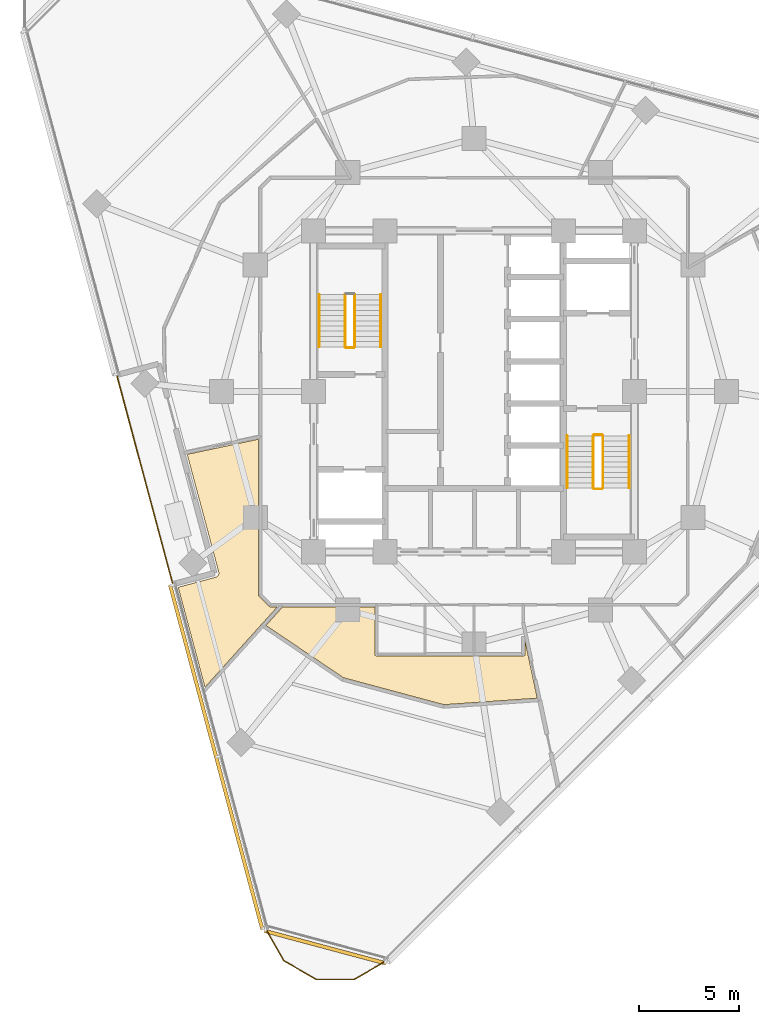
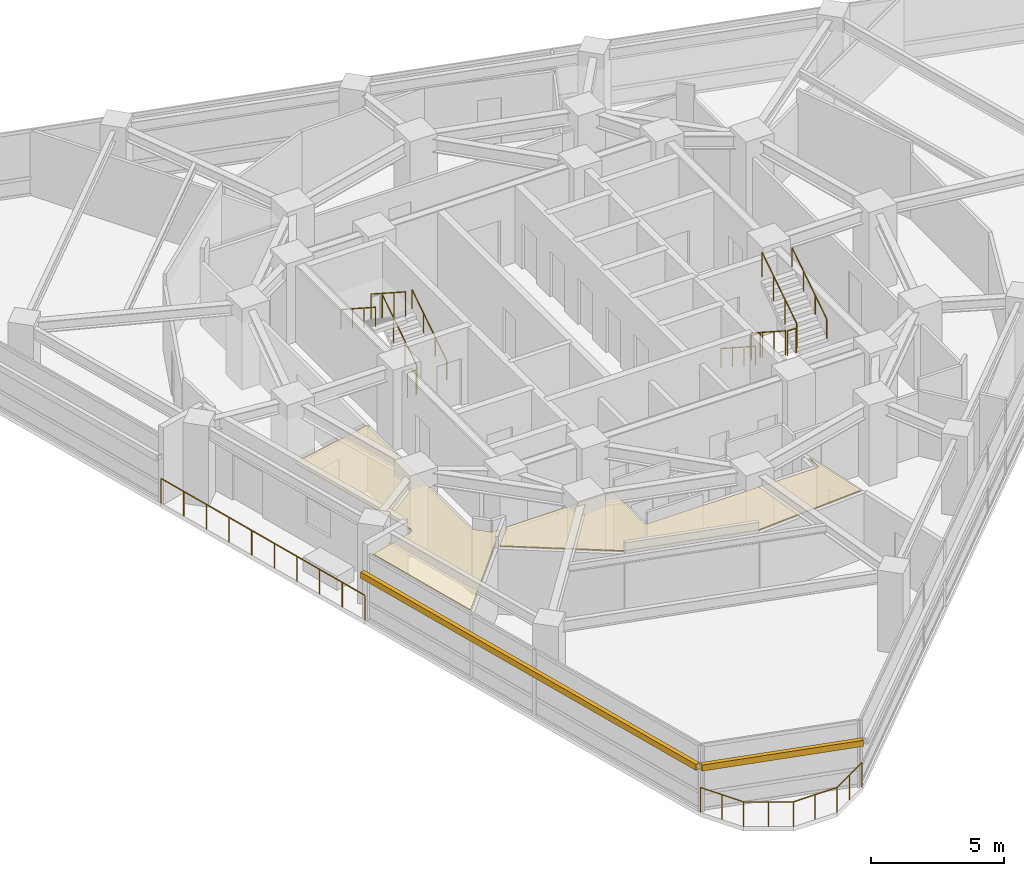
# One storey, part 11 of 14: 13 railings, 2 coverings, 2 shading devices.
"""IFC4 building model written with IfcOpenShell, lengths in metres."""

from ifc_helpers import new_model, si_unit, direction, frame, origin, origin_2d, place, context, subcontext, project, spatial, polyline, rectangle, circle, outline, extrude, material, layer, layer_set, type_object, element, save


model = new_model("IFC4")

# Units and contexts
model_context = context("Model", 3, precision=1e-05, world=origin(), true_north=direction((0.0, 1.0)))
body_context = subcontext(model_context, "Body", "Model", "MODEL_VIEW")
ifc_project = project(units=[si_unit("LENGTHUNIT", "METRE"), si_unit("AREAUNIT", "SQUARE_METRE"), si_unit("VOLUMEUNIT", "CUBIC_METRE"), si_unit("PLANEANGLEUNIT", "RADIAN"), si_unit("MASSUNIT", "GRAM", prefix="KILO")], contexts=[model_context])

# Site, building, storey
site_placement = place(None, origin())
site = spatial("IfcSite", under=ifc_project, at=site_placement, CompositionType="ELEMENT")
building_placement = place(site_placement, origin())
building = spatial("IfcBuilding", under=site, at=building_placement, Name="Terralouvre Media Tower", CompositionType="ELEMENT")
storey_placement = place(building_placement, frame((0.0, 0.0, 206.39990234375)))
storey = spatial("IfcBuildingStorey", under=building, at=storey_placement, Name="L53", CompositionType="ELEMENT", Elevation=206.39990234375)

# Coverings
ifc_material_1 = material(Name="Perforated aluminium acoustic ceiling baffle", Category="aluminium")
ifc_layer_1 = layer(ifc_material_1, 0.0400390625, Name="Perforated Acoustic Metal Tile Ceiling CL-AC1")
ifc_layer_set_1 = layer_set([ifc_layer_1], Name="Perforated aluminium acoustic ceiling baffle")
covering_type = type_object("IfcCoveringType", Name="Perforated Acoustic Metal Tile Ceiling CL-AC1", PredefinedType="CEILING", material=ifc_layer_set_1)
covering_1_placement = place(storey_placement, frame((0.0, 0.0, 2.97998046875), z_axis=(0.0, 0.0, 1.0), x_axis=(0.707106781187, 0.707106781187, 0.0)))
element("IfcCovering", 1, at=covering_1_placement, inside=storey, type_object=covering_type, Name="L53 VFX Compositing Open Office 1 Acoustic Ceiling", PredefinedType="CEILING", context=body_context, shape_type="SweptSolid", body=[
    extrude(outline(polyline([(-14.540771484375, -0.662109375), (-14.778564453125, -0.42431640625), (-14.78515625, -0.4169921875), (-14.791015625, -0.4091796875), (-14.7958984375, -0.400634765625), (-14.80029296875, -0.391845703125), (-14.803466796875, -0.382568359375), (-14.805908203125, -0.373046875), (-14.807373046875, -0.36328125), (-14.807861328125, -0.353515625), (-14.807861328125, 0.353515625), (-14.807373046875, 0.36328125), (-14.805908203125, 0.373046875), (-14.803466796875, 0.382568359375), (-14.80029296875, 0.391845703125), (-14.7958984375, 0.400634765625), (-14.791015625, 0.4091796875), (-14.78515625, 0.4169921875), (-14.778564453125, 0.42431640625), (-9.28955078125, 5.9130859375), (-12.339111328125, 7.894287109375), (-15.3720703125, 2.639892578125), (-15.37744140625, 2.631591796875), (-15.384521484375, 2.621826171875), (-15.388916015625, 2.615966796875), (-15.39599609375, 2.607421875), (-15.396484375, 2.60693359375), (-15.404296875, 2.59765625), (-15.409912109375, 2.591552734375), (-15.416015625, 2.5859375), (-15.42529296875, 2.578125), (-15.432861328125, 2.572265625), (-15.442138671875, 2.56591796875), (-15.454345703125, 2.55859375), (-15.465576171875, 2.552978515625), (-15.468017578125, 2.5517578125), (-15.478759765625, 2.546875), (-15.489501953125, 2.542724609375), (-15.5, 2.5390625), (-15.51416015625, 2.53564453125), (-15.526123046875, 2.533447265625), (-15.53125, 2.53271484375), (-15.54248046875, 2.53125), (-15.549072265625, 2.53076171875), (-15.56103515625, 2.530029296875), (-15.5703125, 2.52978515625), (-15.579345703125, 2.530517578125), (-15.590576171875, 2.531982421875), (-15.595703125, 2.53271484375), (-15.607666015625, 2.534912109375), (-15.614501953125, 2.536376953125), (-15.6259765625, 2.5390625), (-15.63671875, 2.54248046875), (-15.64794921875, 2.546630859375), (-15.655517578125, 2.5498046875), (-15.66259765625, 2.553466796875), (-15.67236328125, 2.55908203125), (-15.6728515625, 2.559326171875), (-17.3447265625, 3.524169921875), (-19.92431640625, -0.944091796875), (-15.719970703125, -0.72314453125), (-14.540771484375, -0.662109375)])), origin(), (0.0, 0.0, 1.0), 0.0400390625),
])
covering_2_placement = place(storey_placement, frame((0.0, 0.0, 2.97998046875), z_axis=(0.0, 0.0, 1.0), x_axis=(0.707106781187, 0.707106781187, 0.0)))
element("IfcCovering", 2, at=covering_2_placement, inside=storey, type_object=covering_type, Name="L53 Colourist Technical Control Room 2 Acoustic Ceiling", PredefinedType="CEILING", context=body_context, shape_type="SweptSolid", body=[
    extrude(outline(polyline([(-14.7041015625, -5.49755859375), (-12.113037109375, -9.985595703125), (-8.592041015625, -13.04736328125), (-7.019775390625, -10.6259765625), (-7.4599609375, -11.066162109375), (-7.46728515625, -11.07275390625), (-7.47509765625, -11.07861328125), (-7.483642578125, -11.083740234375), (-7.492431640625, -11.087890625), (-7.501708984375, -11.091064453125), (-7.51123046875, -11.093505859375), (-7.520751953125, -11.094970703125), (-7.53076171875, -11.095458984375), (-7.54052734375, -11.094970703125), (-7.550048828125, -11.093505859375), (-7.559814453125, -11.091064453125), (-7.56884765625, -11.087890625), (-7.577880859375, -11.083740234375), (-7.586181640625, -11.07861328125), (-7.593994140625, -11.07275390625), (-7.601318359375, -11.066162109375), (-12.76318359375, -5.904296875), (-12.769775390625, -5.89697265625), (-12.775634765625, -5.88916015625), (-12.78076171875, -5.880859375), (-12.784912109375, -5.871826171875), (-12.788330078125, -5.86279296875), (-12.79052734375, -5.85302734375), (-12.7919921875, -5.843505859375), (-12.79248046875, -5.833740234375), (-12.7919921875, -5.82373046875), (-12.79052734375, -5.814208984375), (-12.788330078125, -5.8046875), (-12.784912109375, -5.79541015625), (-12.78076171875, -5.786376953125), (-12.775634765625, -5.778076171875), (-12.769775390625, -5.770263671875), (-12.76318359375, -5.762939453125), (-11.1015625, -4.101318359375), (-14.350341796875, -0.8525390625), (-15.5947265625, -0.9169921875), (-14.7041015625, -5.49755859375)])), origin(), (0.0, 0.0, 1.0), 0.0400390625),
])

# Railings
ifc_material_2 = material(Name="Stainless steel 316 handrail and balustrade", Category="steel")
ifc_layer_2 = layer(ifc_material_2, 0.06005859375, Name="Roof Edge Safety Guardrail GR-ROOF1")
ifc_layer_set_2 = layer_set([ifc_layer_2], Name="Stainless steel 316 handrail and balustrade")
railing_type_1 = type_object("IfcRailingType", Name="Roof Edge Safety Guardrail GR-ROOF1", PredefinedType="GUARDRAIL", material=ifc_layer_set_2)
railing_1_placement = place(storey_placement, frame((-17.8212890625, 0.815185546875, 0.0)))
element("IfcRailing", 3, at=railing_1_placement, inside=storey, type_object=railing_type_1, Name="L53 SG Outer Edge Glass Balustrade", PredefinedType="GUARDRAIL", context=body_context, shape_type="SweptSolid", body=[
    extrude(circle(Radius=0.02392578125, at=origin_2d()), frame((0.0, 0.0, 1.1259765625), z_axis=(0.258835896222, -0.965921310888, 0.0), x_axis=(0.965921310888, 0.258835896222, 0.0)), (0.0, 0.0, 1.0), 10.800048828125),
    extrude(circle(Radius=0.02099609375, at=origin_2d()), origin(), (0.0, 0.0, 1.0), 1.101806640625),
    extrude(circle(Radius=0.02099609375, at=origin_2d()), frame((0.310546875, -1.1591796875, 0.0)), (0.0, 0.0, 1.0), 1.101806640625),
    extrude(circle(Radius=0.02099609375, at=origin_2d()), frame((0.62109375, -2.318115234375, 0.0)), (0.0, 0.0, 1.0), 1.101806640625),
    extrude(circle(Radius=0.02099609375, at=origin_2d()), frame((0.931884765625, -3.477294921875, 0.0)), (0.0, 0.0, 1.0), 1.101806640625),
    extrude(circle(Radius=0.02099609375, at=origin_2d()), frame((1.242431640625, -4.636474609375, 0.0)), (0.0, 0.0, 1.0), 1.101806640625),
    extrude(circle(Radius=0.02099609375, at=origin_2d()), frame((1.552978515625, -5.79541015625, 0.0)), (0.0, 0.0, 1.0), 1.101806640625),
    extrude(circle(Radius=0.02099609375, at=origin_2d()), frame((1.863525390625, -6.95458984375, 0.0)), (0.0, 0.0, 1.0), 1.101806640625),
    extrude(circle(Radius=0.02099609375, at=origin_2d()), frame((2.17431640625, -8.11376953125, 0.0)), (0.0, 0.0, 1.0), 1.101806640625),
    extrude(circle(Radius=0.02099609375, at=origin_2d()), frame((2.48486328125, -9.272705078125, 0.0)), (0.0, 0.0, 1.0), 1.101806640625),
    extrude(circle(Radius=0.02099609375, at=origin_2d()), frame((2.79541015625, -10.431884765625, 0.0)), (0.0, 0.0, 1.0), 1.101806640625),
])
railing_2_placement = place(storey_placement, frame((-10.418701171875, -26.77685546875, 0.0)))
element("IfcRailing", 4, at=railing_2_placement, inside=storey, type_object=railing_type_1, Name="L53 Wind-Corner Perimeter Safety Guardrail C0", PredefinedType="GUARDRAIL", context=body_context, shape_type="SweptSolid", body=[
    extrude(circle(Radius=0.02099609375, at=origin_2d()), frame((0.0, 0.0, 1.12890625), z_axis=(0.499797667116, -0.866142189219, 0.0), x_axis=(0.866142189219, 0.499797667116, 0.0)), (0.0, 0.0, 1.0), 1.873291015625),
    extrude(circle(Radius=0.02099609375, at=origin_2d()), frame((0.936279296875, -1.62255859375, 1.12890625), z_axis=(0.86593156901, -0.500162491388, 0.0), x_axis=(0.500162491388, 0.86593156901, 0.0)), (0.0, 0.0, 1.0), 1.873046875),
    extrude(circle(Radius=0.02099609375, at=origin_2d()), frame((2.55810546875, -2.559326171875, 1.12890625), z_axis=(0.999999991505, 0.000130344107, 0.0), x_axis=(-0.000130344107, 0.999999991505, 0.0)), (0.0, 0.0, 1.0), 1.873046875),
    extrude(circle(Radius=0.02099609375, at=origin_2d()), frame((4.43115234375, -2.55908203125, 1.12890625), z_axis=(0.86590772507, 0.500203770141, 0.0), x_axis=(-0.500203770141, 0.86590772507, 0.0)), (0.0, 0.0, 1.0), 1.873291015625),
    extrude(circle(Radius=0.01904296875, at=origin_2d()), origin(), (0.0, 0.0, 1.0), 1.10791015625),
    extrude(circle(Radius=0.01904296875, at=origin_2d()), frame((0.46826171875, -0.811279296875, 0.0)), (0.0, 0.0, 1.0), 1.10791015625),
    extrude(circle(Radius=0.01904296875, at=origin_2d()), frame((0.936279296875, -1.62255859375, 0.0)), (0.0, 0.0, 1.0), 1.10791015625),
    extrude(circle(Radius=0.01904296875, at=origin_2d()), frame((1.7470703125, -2.0908203125, 0.0)), (0.0, 0.0, 1.0), 1.10791015625),
    extrude(circle(Radius=0.01904296875, at=origin_2d()), frame((2.55810546875, -2.559326171875, 0.0)), (0.0, 0.0, 1.0), 1.10791015625),
    extrude(circle(Radius=0.01904296875, at=origin_2d()), frame((3.49462890625, -2.55908203125, 0.0)), (0.0, 0.0, 1.0), 1.10791015625),
    extrude(circle(Radius=0.01904296875, at=origin_2d()), frame((4.43115234375, -2.55908203125, 0.0)), (0.0, 0.0, 1.0), 1.10791015625),
    extrude(circle(Radius=0.01904296875, at=origin_2d()), frame((5.2421875, -2.090576171875, 0.0)), (0.0, 0.0, 1.0), 1.10791015625),
    extrude(circle(Radius=0.01904296875, at=origin_2d()), frame((6.05322265625, -1.6220703125, 0.0)), (0.0, 0.0, 1.0), 1.10791015625),
])
ifc_material_3 = material(Name="Stainless steel 316 handrail and balustrade", Category="steel")
ifc_layer_3 = layer(ifc_material_3, 0.050048828125, Name="Stair Flight Wall Handrail HR-INT1")
ifc_layer_set_3 = layer_set([ifc_layer_3], Name="Stainless steel 316 handrail and balustrade")
railing_type_2 = type_object("IfcRailingType", Name="Stair Flight Wall Handrail HR-INT1", PredefinedType="HANDRAIL", material=ifc_layer_set_3)
railing_3_placement = place(storey_placement, frame((-4.64990234375, 2.219970703125, 0.168212890625)))
element("IfcRailing", 5, at=railing_3_placement, inside=storey, type_object=railing_type_2, Name="L53 ST-01 stair handrail 1", PredefinedType="HANDRAIL", context=body_context, shape_type="SweptSolid", body=[
    extrude(circle(Radius=0.02392578125, at=origin_2d()), frame((0.0, 0.0, 0.8759765625), z_axis=(0.0, 0.839648411786, 0.543130320075), x_axis=(-1.0, 0.0, 0.0)), (0.0, 0.0, 1.0), 3.0966796875),
    extrude(circle(Radius=0.02099609375, at=origin_2d()), origin(), (0.0, 0.0, 1.0), 0.851806640625),
    extrude(circle(Radius=0.02099609375, at=origin_2d()), frame((0.0, 0.86669921875, 0.560546875)), (0.0, 0.0, 1.0), 0.851806640625),
    extrude(circle(Radius=0.02099609375, at=origin_2d()), frame((0.0, 1.7333984375, 1.121337890625)), (0.0, 0.0, 1.0), 0.851806640625),
    extrude(circle(Radius=0.02099609375, at=origin_2d()), frame((0.0, 2.60009765625, 1.681884765625)), (0.0, 0.0, 1.0), 0.851806640625),
])
for number, where, name in (
    (6, (-7.72998046875, 4.820068359375, 2.018310546875), "L53 ST-01 stair handrail 2"),
    (7, (4.64990234375, -2.219970703125, 0.168212890625), "L53 ST-02 stair handrail 1"),
):
    element("IfcRailing", number, at=place(storey_placement, frame(where)), inside=storey, type_object=railing_type_2, Name=name, PredefinedType="HANDRAIL", context=body_context, shape_type="SweptSolid", body=[
        extrude(circle(Radius=0.02392578125, at=origin_2d()), frame((0.0, 0.0, 0.8759765625), z_axis=(0.0, -0.839648411786, 0.543130320075), x_axis=(1.0, 0.0, 0.0)), (0.0, 0.0, 1.0), 3.0966796875),
        extrude(circle(Radius=0.02099609375, at=origin_2d()), origin(), (0.0, 0.0, 1.0), 0.851806640625),
        extrude(circle(Radius=0.02099609375, at=origin_2d()), frame((0.0, -0.86669921875, 0.560546875)), (0.0, 0.0, 1.0), 0.851806640625),
        extrude(circle(Radius=0.02099609375, at=origin_2d()), frame((0.0, -1.7333984375, 1.121337890625)), (0.0, 0.0, 1.0), 0.851806640625),
        extrude(circle(Radius=0.02099609375, at=origin_2d()), frame((0.0, -2.60009765625, 1.681884765625)), (0.0, 0.0, 1.0), 0.851806640625),
    ])
railing_4_placement = place(storey_placement, frame((7.72998046875, -4.820068359375, 2.018310546875)))
element("IfcRailing", 8, at=railing_4_placement, inside=storey, type_object=railing_type_2, Name="L53 ST-02 stair handrail 2", PredefinedType="HANDRAIL", context=body_context, shape_type="SweptSolid", body=[
    extrude(circle(Radius=0.02392578125, at=origin_2d()), frame((0.0, 0.0, 0.8759765625), z_axis=(0.0, 0.839648411786, 0.543130320075), x_axis=(-1.0, 0.0, 0.0)), (0.0, 0.0, 1.0), 3.0966796875),
    extrude(circle(Radius=0.02099609375, at=origin_2d()), origin(), (0.0, 0.0, 1.0), 0.851806640625),
    extrude(circle(Radius=0.02099609375, at=origin_2d()), frame((0.0, 0.86669921875, 0.560546875)), (0.0, 0.0, 1.0), 0.851806640625),
    extrude(circle(Radius=0.02099609375, at=origin_2d()), frame((0.0, 1.7333984375, 1.121337890625)), (0.0, 0.0, 1.0), 0.851806640625),
    extrude(circle(Radius=0.02099609375, at=origin_2d()), frame((0.0, 2.60009765625, 1.681884765625)), (0.0, 0.0, 1.0), 0.851806640625),
])
ifc_material_4 = material(Name="Stainless steel 316 handrail and balustrade", Category="steel")
ifc_layer_4 = layer(ifc_material_4, 0.050048828125, Name="Stairwell Safety Guardrail GR-INT1")
ifc_layer_set_4 = layer_set([ifc_layer_4], Name="Stainless steel 316 handrail and balustrade")
railing_type_3 = type_object("IfcRailingType", Name="Stairwell Safety Guardrail GR-INT1", PredefinedType="GUARDRAIL", material=ifc_layer_set_4)
railing_5_placement = place(storey_placement, frame((-5.949951171875, 2.219970703125, 0.168212890625)))
element("IfcRailing", 9, at=railing_5_placement, inside=storey, type_object=railing_type_3, Name="L53 ST-01 stair guard 1", PredefinedType="GUARDRAIL", context=body_context, shape_type="SweptSolid", body=[
    extrude(circle(Radius=0.02392578125, at=origin_2d()), frame((0.0, 0.0, 1.1259765625), z_axis=(0.0, 0.839648411786, 0.543130320075), x_axis=(-1.0, 0.0, 0.0)), (0.0, 0.0, 1.0), 3.0966796875),
    extrude(circle(Radius=0.02099609375, at=origin_2d()), origin(), (0.0, 0.0, 1.0), 1.101806640625),
    extrude(circle(Radius=0.02099609375, at=origin_2d()), frame((0.0, 0.86669921875, 0.560546875)), (0.0, 0.0, 1.0), 1.101806640625),
    extrude(circle(Radius=0.02099609375, at=origin_2d()), frame((0.0, 1.7333984375, 1.121337890625)), (0.0, 0.0, 1.0), 1.101806640625),
    extrude(circle(Radius=0.02099609375, at=origin_2d()), frame((0.0, 2.60009765625, 1.681884765625)), (0.0, 0.0, 1.0), 1.101806640625),
])
railing_6_placement = place(storey_placement, frame((-6.429931640625, 4.820068359375, 2.018310546875)))
element("IfcRailing", 10, at=railing_6_placement, inside=storey, type_object=railing_type_3, Name="L53 ST-01 stair guard 3", PredefinedType="GUARDRAIL", context=body_context, shape_type="SweptSolid", body=[
    extrude(circle(Radius=0.02392578125, at=origin_2d()), frame((0.0, 0.0, 1.1259765625), z_axis=(0.0, -0.839648411786, 0.543130320075), x_axis=(1.0, 0.0, 0.0)), (0.0, 0.0, 1.0), 3.0966796875),
    extrude(circle(Radius=0.02099609375, at=origin_2d()), origin(), (0.0, 0.0, 1.0), 1.101806640625),
    extrude(circle(Radius=0.02099609375, at=origin_2d()), frame((0.0, -0.86669921875, 0.560546875)), (0.0, 0.0, 1.0), 1.101806640625),
    extrude(circle(Radius=0.02099609375, at=origin_2d()), frame((0.0, -1.7333984375, 1.121337890625)), (0.0, 0.0, 1.0), 1.101806640625),
    extrude(circle(Radius=0.02099609375, at=origin_2d()), frame((0.0, -2.60009765625, 1.681884765625)), (0.0, 0.0, 1.0), 1.101806640625),
])
railing_7_placement = place(storey_placement, frame((-6.0, 2.169921875, 0.0)))
element("IfcRailing", 11, at=railing_7_placement, inside=storey, type_object=railing_type_3, Name="L53 ST-01 stair guard 4", PredefinedType="GUARDRAIL", context=body_context, shape_type="SweptSolid", body=[
    extrude(circle(Radius=0.02392578125, at=origin_2d()), frame((0.0, 0.0, 1.1259765625), z_axis=(-1.0, 0.0, 0.0), x_axis=(0.0, -1.0, 0.0)), (0.0, 0.0, 1.0), 0.3798828125),
    extrude(circle(Radius=0.02099609375, at=origin_2d()), origin(), (0.0, 0.0, 1.0), 1.101806640625),
    extrude(circle(Radius=0.02099609375, at=origin_2d()), frame((-0.3798828125, 0.0, 0.0)), (0.0, 0.0, 1.0), 1.101806640625),
])
railing_8_placement = place(storey_placement, frame((5.949951171875, -2.219970703125, 0.168212890625)))
element("IfcRailing", 12, at=railing_8_placement, inside=storey, type_object=railing_type_3, Name="L53 ST-02 stair guard 1", PredefinedType="GUARDRAIL", context=body_context, shape_type="SweptSolid", body=[
    extrude(circle(Radius=0.02392578125, at=origin_2d()), frame((0.0, 0.0, 1.1259765625), z_axis=(0.0, -0.839648411786, 0.543130320075), x_axis=(1.0, 0.0, 0.0)), (0.0, 0.0, 1.0), 3.0966796875),
    extrude(circle(Radius=0.02099609375, at=origin_2d()), origin(), (0.0, 0.0, 1.0), 1.101806640625),
    extrude(circle(Radius=0.02099609375, at=origin_2d()), frame((0.0, -0.86669921875, 0.560546875)), (0.0, 0.0, 1.0), 1.101806640625),
    extrude(circle(Radius=0.02099609375, at=origin_2d()), frame((0.0, -1.7333984375, 1.121337890625)), (0.0, 0.0, 1.0), 1.101806640625),
    extrude(circle(Radius=0.02099609375, at=origin_2d()), frame((0.0, -2.60009765625, 1.681884765625)), (0.0, 0.0, 1.0), 1.101806640625),
])
railing_9_placement = place(storey_placement, frame((6.0, -4.8701171875, 1.85009765625)))
element("IfcRailing", 13, at=railing_9_placement, inside=storey, type_object=railing_type_3, Name="L53 ST-02 stair guard 2", PredefinedType="GUARDRAIL", context=body_context, shape_type="SweptSolid", body=[
    extrude(circle(Radius=0.02392578125, at=origin_2d()), frame((0.0, 0.0, 1.1259765625), z_axis=(1.0, 0.0, 0.0), x_axis=(0.0, 1.0, 0.0)), (0.0, 0.0, 1.0), 0.3798828125),
    extrude(circle(Radius=0.02099609375, at=origin_2d()), origin(), (0.0, 0.0, 1.0), 1.101806640625),
    extrude(circle(Radius=0.02099609375, at=origin_2d()), frame((0.3798828125, 0.0, 0.0)), (0.0, 0.0, 1.0), 1.101806640625),
])
railing_10_placement = place(storey_placement, frame((6.429931640625, -4.820068359375, 2.018310546875)))
element("IfcRailing", 14, at=railing_10_placement, inside=storey, type_object=railing_type_3, Name="L53 ST-02 stair guard 3", PredefinedType="GUARDRAIL", context=body_context, shape_type="SweptSolid", body=[
    extrude(circle(Radius=0.02392578125, at=origin_2d()), frame((0.0, 0.0, 1.1259765625), z_axis=(0.0, 0.839648411786, 0.543130320075), x_axis=(-1.0, 0.0, 0.0)), (0.0, 0.0, 1.0), 3.0966796875),
    extrude(circle(Radius=0.02099609375, at=origin_2d()), origin(), (0.0, 0.0, 1.0), 1.101806640625),
    extrude(circle(Radius=0.02099609375, at=origin_2d()), frame((0.0, 0.86669921875, 0.560546875)), (0.0, 0.0, 1.0), 1.101806640625),
    extrude(circle(Radius=0.02099609375, at=origin_2d()), frame((0.0, 1.7333984375, 1.121337890625)), (0.0, 0.0, 1.0), 1.101806640625),
    extrude(circle(Radius=0.02099609375, at=origin_2d()), frame((0.0, 2.60009765625, 1.681884765625)), (0.0, 0.0, 1.0), 1.101806640625),
])
railing_11_placement = place(storey_placement, frame((6.0, -2.169921875, 0.0)))
element("IfcRailing", 15, at=railing_11_placement, inside=storey, type_object=railing_type_3, Name="L53 ST-02 stair guard 4", PredefinedType="GUARDRAIL", context=body_context, shape_type="SweptSolid", body=[
    extrude(circle(Radius=0.02392578125, at=origin_2d()), frame((0.0, 0.0, 1.1259765625), z_axis=(1.0, 0.0, 0.0), x_axis=(0.0, 1.0, 0.0)), (0.0, 0.0, 1.0), 0.3798828125),
    extrude(circle(Radius=0.02099609375, at=origin_2d()), origin(), (0.0, 0.0, 1.0), 1.101806640625),
    extrude(circle(Radius=0.02099609375, at=origin_2d()), frame((0.3798828125, 0.0, 0.0)), (0.0, 0.0, 1.0), 1.101806640625),
])

# Shading devices
ifc_material_5 = material(Name="Extruded terracotta baguette sunshade louvres", Category="masonry")
shading_device_type = type_object("IfcShadingDeviceType", Name="Terracotta Baguette Sunshade Louvre Screen TB-LV1", PredefinedType="USERDEFINED", material=ifc_material_5)
shading_device_1_placement = place(storey_placement, frame((-12.8603515625, -18.239990234375, 2.02392578125), z_axis=(0.0, 0.0, 1.0), x_axis=(0.25881892426, -0.965925858669, 0.0)))
element("IfcShadingDevice", 16, at=shading_device_1_placement, inside=storey, type_object=shading_device_type, Name="CW-L53-F2R Terracotta Baguette Sunshade Louvre", ObjectType="BAGUETTE", PredefinedType="USERDEFINED", context=body_context, shape_type="SweptSolid", body=[
    extrude(rectangle(XDim=17.780029296875, YDim=0.179931640625, at=origin_2d()), origin(), (0.0, 0.0, 1.0), 0.280029296875),
])
shading_device_2_placement = place(storey_placement, frame((-7.427001953125, -27.71826171875, 2.02392578125), z_axis=(0.0, 0.0, 1.0), x_axis=(0.965925911218, -0.258818728144, 0.0)))
element("IfcShadingDevice", 17, at=shading_device_2_placement, inside=storey, type_object=shading_device_type, Name="CW-L53-C0 Terracotta Baguette Sunshade Louvre", ObjectType="BAGUETTE", PredefinedType="USERDEFINED", context=body_context, shape_type="SweptSolid", body=[
    extrude(rectangle(XDim=6.27001953125, YDim=0.179931640625, at=origin_2d()), origin(), (0.0, 0.0, 1.0), 0.280029296875),
])

save(model, "model.ifc")
